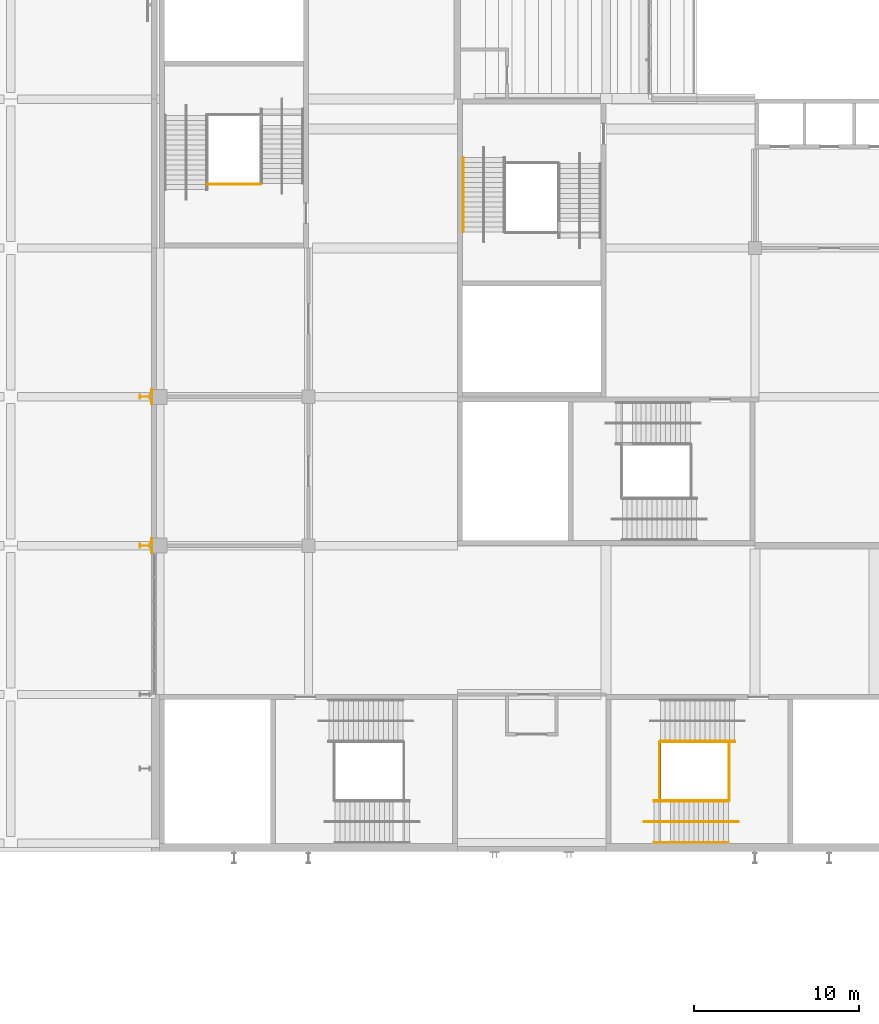
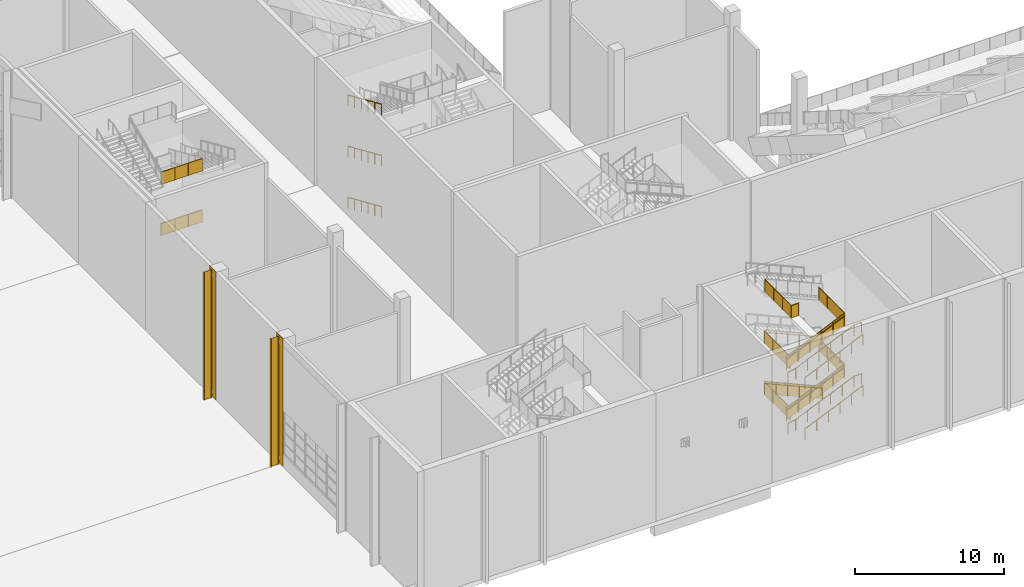
# One storey, part 139 of 182: 21 railings, 2 coverings, 2 shading devices.
"""IFC4 building model written with IfcOpenShell, lengths in metres."""

import ifcopenshell
import ifcopenshell.guid

model = None  # the IFC model being written
_history = None  # IfcOwnerHistory: only IFC2X3 demands one
_inside = {}  # id of a spatial element -> (the spatial element, [elements in it])
_under = {}  # id of a project, library or spatial element -> (it, [spatial elements below it])
_declared = {}  # id of a project -> (the project, [libraries it declares])
_typed = {}  # id of a type object -> (the type object, [elements of that type])
_made_of = {}  # id of a material, layer set ... -> (it, [elements and type objects made of it])


def new_model(schema):
    """Start an empty IFC model of exactly this schema.

    Asked for "IFC4X3", IfcOpenShell would pick the latest addendum, in which some entities
    have other attributes; the version numbers below select the first issue.
    IFC2X3 requires an IfcOwnerHistory on every rooted entity: one is made here for all.
    """
    global model, _history
    if schema == "IFC4X3":
        model = ifcopenshell.file(schema_version=(4, 3, 0, 0))
    else:
        model = ifcopenshell.file(schema=schema)
    _inside.clear()
    _under.clear()
    _declared.clear()
    _typed.clear()
    _made_of.clear()
    _history = None
    if model.schema == "IFC2X3":
        org = make("IfcOrganization", Name="unknown")
        user = make(
            "IfcPersonAndOrganization",
            ThePerson=make("IfcPerson", FamilyName="unknown"),
            TheOrganization=org,
        )
        app = make(
            "IfcApplication",
            ApplicationDeveloper=org,
            Version="unknown",
            ApplicationFullName="unknown",
            ApplicationIdentifier="unknown",
        )
        _history = make(
            "IfcOwnerHistory",
            OwningUser=user,
            OwningApplication=app,
            ChangeAction="ADDED",
            CreationDate=0,
        )
    return model


def make(cls, **values):
    """One entity of the class cls with the attributes given. An attribute that is None is left unset."""
    return model.create_entity(
        cls, **{name: value for name, value in values.items() if value is not None}
    )


def rooted(cls, **values):
    """An entity with a GlobalId (a new one), such as an element, a storey or a relation."""
    return make(cls, GlobalId=ifcopenshell.guid.new(), OwnerHistory=_history, **values)


def si_unit(unit_type, name, prefix=None):
    """IfcSIUnit, for example si_unit("LENGTHUNIT", "METRE", prefix="MILLI")."""
    return make("IfcSIUnit", UnitType=unit_type, Prefix=prefix, Name=name)


def assignment(units):
    """IfcUnitAssignment: the units of a project."""
    return None if units is None else make("IfcUnitAssignment", Units=units)


def point(xyz):
    """IfcCartesianPoint."""
    return None if xyz is None else make("IfcCartesianPoint", Coordinates=xyz)


def direction(xyz):
    """IfcDirection."""
    return None if xyz is None else make("IfcDirection", DirectionRatios=xyz)


def frame(location, z_axis=None, x_axis=None):
    """IfcAxis2Placement3D, a coordinate frame: its origin and axes. An axis left out is left unset."""
    return make(
        "IfcAxis2Placement3D",
        Location=point(location),
        Axis=direction(z_axis),
        RefDirection=direction(x_axis),
    )


def frame_2d(location, x_axis=None):
    """IfcAxis2Placement2D, a coordinate frame in the plane: its origin and x axis."""
    return make(
        "IfcAxis2Placement2D", Location=point(location), RefDirection=direction(x_axis)
    )


def origin():
    """The frame at (0, 0, 0) with its axes left unset."""
    return frame((0.0, 0.0, 0.0))


def origin_2d():
    """The frame at (0, 0) in the plane with its x axis left unset."""
    return frame_2d((0.0, 0.0))


def place(relative_to, where):
    """IfcLocalPlacement: puts the frame where relative to a parent placement (None: the world)."""
    return make(
        "IfcLocalPlacement", PlacementRelTo=relative_to, RelativePlacement=where
    )


def context(
    kind, dimensions, precision=None, world=None, true_north=None, identifier=None
):
    """IfcGeometricRepresentationContext, for example the 3D "Model" context."""
    return make(
        "IfcGeometricRepresentationContext",
        ContextIdentifier=identifier,
        ContextType=kind,
        CoordinateSpaceDimension=dimensions,
        Precision=precision,
        WorldCoordinateSystem=world,
        TrueNorth=true_north,
    )


def subcontext(parent, identifier, kind, view, scale=None):
    """IfcGeometricRepresentationSubContext, for example "Body" below "Model"."""
    return make(
        "IfcGeometricRepresentationSubContext",
        ContextIdentifier=identifier,
        ContextType=kind,
        ParentContext=parent,
        TargetScale=scale,
        TargetView=view,
    )


def project(units=None, contexts=None):
    """IfcProject with its units and contexts."""
    return rooted(
        "IfcProject",
        Name="project",
        RepresentationContexts=contexts,
        UnitsInContext=assignment(units),
    )


def spatial(cls, under=None, at=None, **own):
    """A site, building, storey or space (cls), placed at a placement, below another one or the project."""
    s = rooted(cls, ObjectPlacement=at, **own)
    if under is not None:
        _under.setdefault(under.id(), (under, []))[1].append(s)
    return s


def polyline(points):
    """IfcPolyline through the points."""
    return make("IfcPolyline", Points=[point(p) for p in points])


def profile(cls, at=None, kind="AREA", **sizes):
    """A parametric profile (cls). Its sizes go by their IFC names, for example OverallWidth=200.0."""
    return make(cls, ProfileType=kind, Position=at, **sizes)


def circle(**sizes):
    """IfcCircleProfileDef."""
    return profile("IfcCircleProfileDef", **sizes)


def i_section(**sizes):
    """IfcIShapeProfileDef."""
    return profile("IfcIShapeProfileDef", **sizes)


def outline(outer, holes=None, kind="AREA"):
    """IfcArbitraryClosedProfileDef: a profile drawn as a closed curve; with holes, ...WithVoids."""
    if holes is None:
        return make("IfcArbitraryClosedProfileDef", ProfileType=kind, OuterCurve=outer)
    return make(
        "IfcArbitraryProfileDefWithVoids",
        ProfileType=kind,
        OuterCurve=outer,
        InnerCurves=holes,
    )


def extrude(swept, where, along, depth):
    """IfcExtrudedAreaSolid: the profile swept, set in the frame where, extruded along a direction by depth."""
    return make(
        "IfcExtrudedAreaSolid",
        SweptArea=swept,
        Position=where,
        ExtrudedDirection=direction(along),
        Depth=depth,
    )


def shape(context_of_items, identifier, shape_type, items):
    """IfcShapeRepresentation: the items that make up one representation, for example the "Body"."""
    return make(
        "IfcShapeRepresentation",
        ContextOfItems=context_of_items,
        RepresentationIdentifier=identifier,
        RepresentationType=shape_type,
        Items=items,
    )


def material(Name=None, Category=None):
    """IfcMaterial."""
    return make("IfcMaterial", Name=Name, Category=Category)


def layer(
    of_material, thickness, ventilated=None, Name=None, Category=None, Priority=None
):
    """IfcMaterialLayer: one layer of a wall or slab, of a material (None: an air gap)."""
    return make(
        "IfcMaterialLayer",
        Material=of_material,
        LayerThickness=thickness,
        IsVentilated=ventilated,
        Name=Name,
        Category=Category,
        Priority=Priority,
    )


def layer_set(layers, Name=None):
    """IfcMaterialLayerSet."""
    return make("IfcMaterialLayerSet", MaterialLayers=layers, LayerSetName=Name)


def material_profile(
    of_material, cross_section, Name=None, Category=None, Priority=None
):
    """IfcMaterialProfile: a cross section and its material."""
    return make(
        "IfcMaterialProfile",
        Name=Name,
        Material=of_material,
        Profile=cross_section,
        Priority=Priority,
        Category=Category,
    )


def profile_set(profiles, Name=None, composite=None):
    """IfcMaterialProfileSet."""
    return make(
        "IfcMaterialProfileSet",
        Name=Name,
        MaterialProfiles=profiles,
        CompositeProfile=composite,
    )


def made_of(thing, what):
    """Note that an element or type object is made of a material, layer set ...; save() writes the relation."""
    if what is not None:
        _made_of.setdefault(what.id(), (what, []))[1].append(thing)
    return thing


def type_object(cls, material=None, **own):
    """A type object (cls), such as IfcWallType, which elements share."""
    return made_of(rooted(cls, **own), material)


def element(
    cls,
    number,
    at=None,
    inside=None,
    cuts=None,
    type_object=None,
    material=None,
    context=None,
    identifier="Body",
    shape_type=None,
    held_by="IfcProductDefinitionShape",
    body=None,
    shapes=None,
    **own,
):
    """One element of the class cls, such as IfcWall. Its Tag is "e" and its number.

    at: its placement. inside: the storey or other place that contains it. cuts: it is an
    opening in that element (IfcRelVoidsElement). A single representation is given by context,
    identifier, shape_type and body (its items); several are given by shapes. held_by: the class
    of the entity that holds the representations. save() writes the other relations.
    """
    e = rooted(cls, Tag="e%d" % number, ObjectPlacement=at, **own)
    if body is not None:
        shapes = [shape(context, identifier, shape_type, body)]
    if shapes is not None:
        e.Representation = make(held_by, Representations=shapes)
    if inside is not None:
        _inside.setdefault(inside.id(), (inside, []))[1].append(e)
    if cuts is not None:
        rooted(
            "IfcRelVoidsElement", RelatingBuildingElement=cuts, RelatedOpeningElement=e
        )
    if type_object is not None:
        _typed.setdefault(type_object.id(), (type_object, []))[1].append(e)
    return made_of(e, material)


def aggregate(whole, parts):
    """IfcRelAggregates: a whole, such as a stair, and the parts it consists of."""
    return rooted("IfcRelAggregates", RelatingObject=whole, RelatedObjects=parts)


def save(model, path):
    """Write the relations noted so far, then the file.

    IfcRelAggregates (storeys below a building ...), IfcRelContainedInSpatialStructure (elements
    in a storey), IfcRelDefinesByType, IfcRelAssociatesMaterial and IfcRelDeclares: one each for
    every whole, place, type object, material and project.
    """
    for whole, parts in _under.values():
        aggregate(whole, parts)
    for where, things in _inside.values():
        rooted(
            "IfcRelContainedInSpatialStructure",
            RelatedElements=things,
            RelatingStructure=where,
        )
    for kind, things in _typed.values():
        rooted("IfcRelDefinesByType", RelatedObjects=things, RelatingType=kind)
    for what, things in _made_of.values():
        rooted("IfcRelAssociatesMaterial", RelatedObjects=things, RelatingMaterial=what)
    for by, libraries in _declared.values():
        rooted("IfcRelDeclares", RelatingContext=by, RelatedDefinitions=libraries)
    model.write(path)


model = new_model("IFC4")

# Units and contexts
model_context = context("Model", 3, precision=1e-05, world=origin(), true_north=direction((0.0, 1.0)))
body_context = subcontext(model_context, "Body", "Model", "MODEL_VIEW")
ifc_project = project(units=[si_unit("LENGTHUNIT", "METRE"), si_unit("AREAUNIT", "SQUARE_METRE"), si_unit("VOLUMEUNIT", "CUBIC_METRE"), si_unit("PLANEANGLEUNIT", "RADIAN"), si_unit("MASSUNIT", "GRAM", prefix="KILO")], contexts=[model_context])

# Site, building, storey
site_placement = place(None, origin())
site = spatial("IfcSite", under=ifc_project, at=site_placement, CompositionType="ELEMENT")
building_placement = place(site_placement, origin())
building = spatial("IfcBuilding", under=site, at=building_placement, Name="Silverbay Arena", CompositionType="ELEMENT")
storey_placement = place(building_placement, frame((0.0, 0.0, 11.5)))
storey = spatial("IfcBuildingStorey", under=building, at=storey_placement, Name="L02", CompositionType="ELEMENT", Elevation=11.5)

# Coverings
ifc_material_1 = material(Name="Aluminium composite cladding", Category="aluminium")
ifc_layer = layer(ifc_material_1, 0.050048828125)
ifc_layer_set = layer_set([ifc_layer], Name="Aluminium composite cladding")
covering_type = type_object("IfcCoveringType", Name="Column cladding 50", PredefinedType="CLADDING", material=ifc_layer_set)
covering_1_placement = place(storey_placement, origin())
element("IfcCovering", 1, at=covering_1_placement, inside=storey, type_object=covering_type, Name="West column cladding L02 5", PredefinedType="CLADDING", context=body_context, shape_type="SweptSolid", body=[
    extrude(outline(polyline([(53.5, 35.550048828125), (53.550048828125, 35.550048828125), (53.550048828125, 36.449951171875), (53.5, 36.449951171875), (53.5, 35.550048828125)])), origin(), (0.0, 0.0, 1.0), 10.5),
])
covering_2_placement = place(storey_placement, origin())
element("IfcCovering", 2, at=covering_2_placement, inside=storey, type_object=covering_type, Name="West column cladding L02 7", PredefinedType="CLADDING", context=body_context, shape_type="SweptSolid", body=[
    extrude(outline(polyline([(53.5, 44.550048828125), (53.550048828125, 44.550048828125), (53.550048828125, 45.449951171875), (53.5, 45.449951171875), (53.5, 44.550048828125)])), origin(), (0.0, 0.0, 1.0), 10.5),
])

# Railings
ifc_material_2 = material(Name="Stainless steel", Category="steel")
railing_type_1 = type_object("IfcRailingType", Name="Stair guard 1100", PredefinedType="GUARDRAIL", material=ifc_material_2)
railing_1_placement = place(storey_placement, frame((88.774169921875, 24.125, 0.13134765625)))
element("IfcRailing", 3, at=railing_1_placement, inside=storey, type_object=railing_type_1, Name="Stair ST-S1 L02 to L03 flight 1 guard right", PredefinedType="GUARDRAIL", context=body_context, shape_type="SweptSolid", body=[
    extrude(circle(Radius=0.02392578125, at=origin_2d()), frame((0.0, 0.0, 1.076171875), z_axis=(-0.916157334902, 0.0, 0.40081883402), x_axis=(0.0, -1.0, 0.0)), (0.0, 0.0, 1.0), 4.911865234375),
    extrude(outline(polyline([(-0.008056640625, 0.04638671875), (0.907958984375, 0.447265625), (0.907958984375, 1.4501953125), (-0.008056640625, 1.049560546875), (-0.008056640625, 0.04638671875)])), frame((0.0, -0.0029296875, 0.0), z_axis=(0.0, 1.0, 0.0), x_axis=(-1.0, 0.0, 0.0)), (0.0, 0.0, 1.0), 0.006103515625),
    extrude(outline(polyline([(-0.008056640625, 0.440185546875), (0.907958984375, 0.841064453125), (0.907958984375, 1.843994140625), (-0.008056640625, 1.443359375), (-0.008056640625, 0.440185546875)])), frame((-0.89990234375, -0.0029296875, 0.0), z_axis=(0.0, 1.0, 0.0), x_axis=(-1.0, 0.0, 0.0)), (0.0, 0.0, 1.0), 0.006103515625),
    extrude(outline(polyline([(-0.008056640625, 0.833984375), (0.907958984375, 1.23486328125), (0.907958984375, 2.23779296875), (-0.008056640625, 1.8369140625), (-0.008056640625, 0.833984375)])), frame((-1.800048828125, -0.0029296875, 0.0), z_axis=(0.0, 1.0, 0.0), x_axis=(-1.0, 0.0, 0.0)), (0.0, 0.0, 1.0), 0.006103515625),
    extrude(outline(polyline([(-0.008056640625, 1.227783203125), (0.907958984375, 1.62841796875), (0.907958984375, 2.631591796875), (-0.008056640625, 2.230712890625), (-0.008056640625, 1.227783203125)])), frame((-2.699951171875, -0.0029296875, 0.0), z_axis=(0.0, 1.0, 0.0), x_axis=(-1.0, 0.0, 0.0)), (0.0, 0.0, 1.0), 0.006103515625),
    extrude(outline(polyline([(-0.008056640625, 1.62158203125), (0.907958984375, 2.022216796875), (0.907958984375, 3.025146484375), (-0.008056640625, 2.62451171875), (-0.008056640625, 1.62158203125)])), frame((-3.60009765625, -0.0029296875, 0.0), z_axis=(0.0, 1.0, 0.0), x_axis=(-1.0, 0.0, 0.0)), (0.0, 0.0, 1.0), 0.006103515625),
    extrude(circle(Radius=0.02099609375, at=origin_2d()), origin(), (0.0, 0.0, 1.0), 1.052001953125),
    extrude(circle(Radius=0.02099609375, at=origin_2d()), frame((-0.89990234375, 0.0, 0.393798828125)), (0.0, 0.0, 1.0), 1.052001953125),
    extrude(circle(Radius=0.02099609375, at=origin_2d()), frame((-1.800048828125, 0.0, 0.78759765625)), (0.0, 0.0, 1.0), 1.052001953125),
    extrude(circle(Radius=0.02099609375, at=origin_2d()), frame((-2.699951171875, 0.0, 1.18115234375)), (0.0, 0.0, 1.0), 1.052001953125),
    extrude(circle(Radius=0.02099609375, at=origin_2d()), frame((-3.60009765625, 0.0, 1.574951171875)), (0.0, 0.0, 1.0), 1.052001953125),
    extrude(circle(Radius=0.02099609375, at=origin_2d()), frame((-4.5, 0.0, 1.96875)), (0.0, 0.0, 1.0), 1.052001953125),
])
railing_2_placement = place(storey_placement, frame((83.89990234375, 20.574951171875, 2.231201171875)))
element("IfcRailing", 4, at=railing_2_placement, inside=storey, type_object=railing_type_1, Name="Stair ST-S1 L02 to L03 flight 2 guard left", PredefinedType="GUARDRAIL", context=body_context, shape_type="SweptSolid", body=[
    extrude(circle(Radius=0.02392578125, at=origin_2d()), frame((0.0, 0.0, 1.076171875), z_axis=(0.916157334902, 0.0, 0.40081883402), x_axis=(0.0, 1.0, 0.0)), (0.0, 0.0, 1.0), 4.911865234375),
    extrude(outline(polyline([(-0.008056640625, 0.04638671875), (0.907958984375, 0.447265625), (0.907958984375, 1.4501953125), (-0.008056640625, 1.049560546875), (-0.008056640625, 0.04638671875)])), frame((0.0, 0.0029296875, 0.0), z_axis=(0.0, -1.0, 0.0), x_axis=(1.0, 0.0, 0.0)), (0.0, 0.0, 1.0), 0.006103515625),
    extrude(outline(polyline([(-0.008056640625, 0.440185546875), (0.907958984375, 0.841064453125), (0.907958984375, 1.843994140625), (-0.008056640625, 1.443359375), (-0.008056640625, 0.440185546875)])), frame((0.89990234375, 0.0029296875, 0.0), z_axis=(0.0, -1.0, 0.0), x_axis=(1.0, 0.0, 0.0)), (0.0, 0.0, 1.0), 0.006103515625),
    extrude(outline(polyline([(-0.008056640625, 0.833984375), (0.907958984375, 1.23486328125), (0.907958984375, 2.23779296875), (-0.008056640625, 1.8369140625), (-0.008056640625, 0.833984375)])), frame((1.800048828125, 0.0029296875, 0.0), z_axis=(0.0, -1.0, 0.0), x_axis=(1.0, 0.0, 0.0)), (0.0, 0.0, 1.0), 0.006103515625),
    extrude(outline(polyline([(-0.008056640625, 1.227783203125), (0.907958984375, 1.62841796875), (0.907958984375, 2.631591796875), (-0.008056640625, 2.230712890625), (-0.008056640625, 1.227783203125)])), frame((2.699951171875, 0.0029296875, 0.0), z_axis=(0.0, -1.0, 0.0), x_axis=(1.0, 0.0, 0.0)), (0.0, 0.0, 1.0), 0.006103515625),
    extrude(outline(polyline([(-0.008056640625, 1.62158203125), (0.907958984375, 2.022216796875), (0.907958984375, 3.025146484375), (-0.008056640625, 2.62451171875), (-0.008056640625, 1.62158203125)])), frame((3.60009765625, 0.0029296875, 0.0), z_axis=(0.0, -1.0, 0.0), x_axis=(1.0, 0.0, 0.0)), (0.0, 0.0, 1.0), 0.006103515625),
    extrude(circle(Radius=0.02099609375, at=origin_2d()), origin(), (0.0, 0.0, 1.0), 1.052001953125),
    extrude(circle(Radius=0.02099609375, at=origin_2d()), frame((0.89990234375, 0.0, 0.393798828125)), (0.0, 0.0, 1.0), 1.052001953125),
    extrude(circle(Radius=0.02099609375, at=origin_2d()), frame((1.800048828125, 0.0, 0.78759765625)), (0.0, 0.0, 1.0), 1.052001953125),
    extrude(circle(Radius=0.02099609375, at=origin_2d()), frame((2.699951171875, 0.0, 1.18115234375)), (0.0, 0.0, 1.0), 1.052001953125),
    extrude(circle(Radius=0.02099609375, at=origin_2d()), frame((3.60009765625, 0.0, 1.574951171875)), (0.0, 0.0, 1.0), 1.052001953125),
    extrude(circle(Radius=0.02099609375, at=origin_2d()), frame((4.5, 0.0, 1.96875)), (0.0, 0.0, 1.0), 1.052001953125),
])
railing_3_placement = place(storey_placement, frame((83.89990234375, 20.574951171875, 6.43115234375)))
element("IfcRailing", 5, at=railing_3_placement, inside=storey, type_object=railing_type_1, Name="Stair ST-S1 L02 to L03 flight 4 guard left", PredefinedType="GUARDRAIL", context=body_context, shape_type="SweptSolid", body=[
    extrude(circle(Radius=0.02392578125, at=origin_2d()), frame((0.0, 0.0, 1.076171875), z_axis=(0.916157334902, 0.0, 0.40081883402), x_axis=(0.0, 1.0, 0.0)), (0.0, 0.0, 1.0), 4.911865234375),
    extrude(outline(polyline([(-0.008056640625, 0.04638671875), (0.907958984375, 0.447265625), (0.907958984375, 1.4501953125), (-0.008056640625, 1.049560546875), (-0.008056640625, 0.04638671875)])), frame((0.0, 0.0029296875, 0.0), z_axis=(0.0, -1.0, 0.0), x_axis=(1.0, 0.0, 0.0)), (0.0, 0.0, 1.0), 0.006103515625),
    extrude(outline(polyline([(-0.008056640625, 0.440185546875), (0.907958984375, 0.841064453125), (0.907958984375, 1.843994140625), (-0.008056640625, 1.443359375), (-0.008056640625, 0.440185546875)])), frame((0.89990234375, 0.0029296875, 0.0), z_axis=(0.0, -1.0, 0.0), x_axis=(1.0, 0.0, 0.0)), (0.0, 0.0, 1.0), 0.006103515625),
    extrude(outline(polyline([(-0.008056640625, 0.833984375), (0.907958984375, 1.23486328125), (0.907958984375, 2.23779296875), (-0.008056640625, 1.8369140625), (-0.008056640625, 0.833984375)])), frame((1.800048828125, 0.0029296875, 0.0), z_axis=(0.0, -1.0, 0.0), x_axis=(1.0, 0.0, 0.0)), (0.0, 0.0, 1.0), 0.006103515625),
    extrude(outline(polyline([(-0.008056640625, 1.227783203125), (0.907958984375, 1.62841796875), (0.907958984375, 2.631591796875), (-0.008056640625, 2.230712890625), (-0.008056640625, 1.227783203125)])), frame((2.699951171875, 0.0029296875, 0.0), z_axis=(0.0, -1.0, 0.0), x_axis=(1.0, 0.0, 0.0)), (0.0, 0.0, 1.0), 0.006103515625),
    extrude(outline(polyline([(-0.008056640625, 1.62158203125), (0.907958984375, 2.022216796875), (0.907958984375, 3.025146484375), (-0.008056640625, 2.62451171875), (-0.008056640625, 1.62158203125)])), frame((3.60009765625, 0.0029296875, 0.0), z_axis=(0.0, -1.0, 0.0), x_axis=(1.0, 0.0, 0.0)), (0.0, 0.0, 1.0), 0.006103515625),
    extrude(circle(Radius=0.02099609375, at=origin_2d()), origin(), (0.0, 0.0, 1.0), 1.052001953125),
    extrude(circle(Radius=0.02099609375, at=origin_2d()), frame((0.89990234375, 0.0, 0.393798828125)), (0.0, 0.0, 1.0), 1.052001953125),
    extrude(circle(Radius=0.02099609375, at=origin_2d()), frame((1.800048828125, 0.0, 0.78759765625)), (0.0, 0.0, 1.0), 1.052001953125),
    extrude(circle(Radius=0.02099609375, at=origin_2d()), frame((2.699951171875, 0.0, 1.18115234375)), (0.0, 0.0, 1.0), 1.052001953125),
    extrude(circle(Radius=0.02099609375, at=origin_2d()), frame((3.60009765625, 0.0, 1.574951171875)), (0.0, 0.0, 1.0), 1.052001953125),
    extrude(circle(Radius=0.02099609375, at=origin_2d()), frame((4.5, 0.0, 1.96875)), (0.0, 0.0, 1.0), 1.052001953125),
])
for number, where, name in (
    (6, (84.22412109375, 24.10009765625, 2.10009765625), "Stair ST-S1 L02 to L03 landing 1 guard"),
    (7, (88.449951171875, 24.10009765625, 4.199951171875), "Stair ST-S1 L02 to L03 landing 2 guard"),
    (8, (84.22412109375, 24.10009765625, 6.300048828125), "Stair ST-S1 L02 to L03 landing 3 guard"),
    (9, (88.449951171875, 24.10009765625, 8.39990234375), "Stair ST-S1 L02 to L03 landing 4 guard"),
):
    element("IfcRailing", number, at=place(storey_placement, frame(where)), inside=storey, type_object=railing_type_1, Name=name, PredefinedType="GUARDRAIL", context=body_context, shape_type="SweptSolid", body=[
        extrude(circle(Radius=0.02392578125, at=origin_2d()), frame((0.0, 0.0, 1.076171875), z_axis=(0.0, -1.0, 0.0), x_axis=(1.0, 0.0, 0.0)), (0.0, 0.0, 1.0), 3.5),
        extrude(outline(polyline([(-0.008056640625, 0.050048828125), (1.174560546875, 0.050048828125), (1.174560546875, 1.052978515625), (-0.008056640625, 1.052978515625), (-0.008056640625, 0.050048828125)])), frame((0.0029296875, 0.0, 0.0), z_axis=(-1.0, 0.0, 0.0), x_axis=(0.0, -1.0, 0.0)), (0.0, 0.0, 1.0), 0.006103515625),
        extrude(outline(polyline([(-0.008056640625, 0.050048828125), (1.174560546875, 0.050048828125), (1.174560546875, 1.052978515625), (-0.008056640625, 1.052978515625), (-0.008056640625, 0.050048828125)])), frame((0.0029296875, -1.166748046875, 0.0), z_axis=(-1.0, 0.0, 0.0), x_axis=(0.0, -1.0, 0.0)), (0.0, 0.0, 1.0), 0.006103515625),
        extrude(outline(polyline([(-0.008056640625, 0.050048828125), (1.174560546875, 0.050048828125), (1.174560546875, 1.052978515625), (-0.008056640625, 1.052978515625), (-0.008056640625, 0.050048828125)])), frame((0.0029296875, -2.333251953125, 0.0), z_axis=(-1.0, 0.0, 0.0), x_axis=(0.0, -1.0, 0.0)), (0.0, 0.0, 1.0), 0.006103515625),
        extrude(circle(Radius=0.02099609375, at=origin_2d()), origin(), (0.0, 0.0, 1.0), 1.052001953125),
        extrude(circle(Radius=0.02099609375, at=origin_2d()), frame((0.0, -1.166748046875, 0.0)), (0.0, 0.0, 1.0), 1.052001953125),
        extrude(circle(Radius=0.02099609375, at=origin_2d()), frame((0.0, -2.333251953125, 0.0)), (0.0, 0.0, 1.0), 1.052001953125),
        extrude(circle(Radius=0.02099609375, at=origin_2d()), frame((0.0, -3.5, 0.0)), (0.0, 0.0, 1.0), 1.052001953125),
    ])
railing_4_placement = place(storey_placement, frame((84.85009765625, 20.550048828125, 10.5)))
element("IfcRailing", 10, at=railing_4_placement, inside=storey, type_object=railing_type_1, Name="Stair ST-S1 L02 to L03 landing 5 guard", PredefinedType="GUARDRAIL", context=body_context, shape_type="SweptSolid", body=[
    extrude(circle(Radius=0.02392578125, at=origin_2d()), frame((0.0, 0.0, 1.076171875), z_axis=(-1.0, 0.0, 0.0), x_axis=(0.0, -1.0, 0.0)), (0.0, 0.0, 1.0), 0.575927734375),
    extrude(outline(polyline([(-0.008056640625, 0.050048828125), (0.583984375, 0.050048828125), (0.583984375, 1.052978515625), (-0.008056640625, 1.052978515625), (-0.008056640625, 0.050048828125)])), frame((0.0, -0.0029296875, 0.0), z_axis=(0.0, 1.0, 0.0), x_axis=(-1.0, 0.0, 0.0)), (0.0, 0.0, 1.0), 0.006103515625),
    extrude(circle(Radius=0.02392578125, at=origin_2d()), frame((-0.575927734375, 0.0, 1.076171875), z_axis=(0.0, 1.0, 0.0), x_axis=(-1.0, 0.0, 0.0)), (0.0, 0.0, 1.0), 3.550048828125),
    extrude(outline(polyline([(-0.008056640625, 0.050048828125), (1.19140625, 0.050048828125), (1.19140625, 1.052978515625), (-0.008056640625, 1.052978515625), (-0.008056640625, 0.050048828125)])), frame((-0.578857421875, 0.0, 0.0), z_axis=(1.0, 0.0, 0.0), x_axis=(0.0, 1.0, 0.0)), (0.0, 0.0, 1.0), 0.006103515625),
    extrude(outline(polyline([(-0.008056640625, 0.050048828125), (1.19140625, 0.050048828125), (1.19140625, 1.052978515625), (-0.008056640625, 1.052978515625), (-0.008056640625, 0.050048828125)])), frame((-0.578857421875, 1.183349609375, 0.0), z_axis=(1.0, 0.0, 0.0), x_axis=(0.0, 1.0, 0.0)), (0.0, 0.0, 1.0), 0.006103515625),
    extrude(outline(polyline([(-0.008056640625, 0.050048828125), (1.19140625, 0.050048828125), (1.19140625, 1.052978515625), (-0.008056640625, 1.052978515625), (-0.008056640625, 0.050048828125)])), frame((-0.578857421875, 2.36669921875, 0.0), z_axis=(1.0, 0.0, 0.0), x_axis=(0.0, 1.0, 0.0)), (0.0, 0.0, 1.0), 0.006103515625),
    extrude(circle(Radius=0.02099609375, at=origin_2d()), origin(), (0.0, 0.0, 1.0), 1.052001953125),
    extrude(circle(Radius=0.02099609375, at=origin_2d()), frame((-0.575927734375, 0.0, 0.0)), (0.0, 0.0, 1.0), 1.052001953125),
    extrude(circle(Radius=0.02099609375, at=origin_2d()), frame((-0.575927734375, 1.183349609375, 0.0)), (0.0, 0.0, 1.0), 1.052001953125),
    extrude(circle(Radius=0.02099609375, at=origin_2d()), frame((-0.575927734375, 2.36669921875, 0.0)), (0.0, 0.0, 1.0), 1.052001953125),
    extrude(circle(Radius=0.02099609375, at=origin_2d()), frame((-0.575927734375, 3.550048828125, 0.0)), (0.0, 0.0, 1.0), 1.052001953125),
])
for number, where, name in (
    (11, (60.10009765625, 57.85009765625, 4.199951171875), "Stair ST-W1 L02 to L03 landing 2 guard"),
    (12, (60.10009765625, 57.85009765625, 8.39990234375), "Stair ST-W1 L02 to L03 landing 4 guard"),
):
    element("IfcRailing", number, at=place(storey_placement, frame(where)), inside=storey, type_object=railing_type_1, Name=name, PredefinedType="GUARDRAIL", context=body_context, shape_type="SweptSolid", body=[
        extrude(circle(Radius=0.02392578125, at=origin_2d()), frame((0.0, 0.0, 1.076171875), z_axis=(-1.0, 0.0, 0.0), x_axis=(0.0, -1.0, 0.0)), (0.0, 0.0, 1.0), 3.2001953125),
        extrude(outline(polyline([(-0.008056640625, 0.050048828125), (1.07470703125, 0.050048828125), (1.07470703125, 1.052978515625), (-0.008056640625, 1.052978515625), (-0.008056640625, 0.050048828125)])), frame((0.0, -0.0029296875, 0.0), z_axis=(0.0, 1.0, 0.0), x_axis=(-1.0, 0.0, 0.0)), (0.0, 0.0, 1.0), 0.006103515625),
        extrude(outline(polyline([(-0.008056640625, 0.050048828125), (1.07470703125, 0.050048828125), (1.07470703125, 1.052978515625), (-0.008056640625, 1.052978515625), (-0.008056640625, 0.050048828125)])), frame((-1.066650390625, -0.0029296875, 0.0), z_axis=(0.0, 1.0, 0.0), x_axis=(-1.0, 0.0, 0.0)), (0.0, 0.0, 1.0), 0.006103515625),
        extrude(outline(polyline([(-0.008056640625, 0.050048828125), (1.07470703125, 0.050048828125), (1.07470703125, 1.052978515625), (-0.008056640625, 1.052978515625), (-0.008056640625, 0.050048828125)])), frame((-2.133544921875, -0.0029296875, 0.0), z_axis=(0.0, 1.0, 0.0), x_axis=(-1.0, 0.0, 0.0)), (0.0, 0.0, 1.0), 0.006103515625),
        extrude(circle(Radius=0.02099609375, at=origin_2d()), origin(), (0.0, 0.0, 1.0), 1.052001953125),
        extrude(circle(Radius=0.02099609375, at=origin_2d()), frame((-1.066650390625, 0.0, 0.0)), (0.0, 0.0, 1.0), 1.052001953125),
        extrude(circle(Radius=0.02099609375, at=origin_2d()), frame((-2.133544921875, 0.0, 0.0)), (0.0, 0.0, 1.0), 1.052001953125),
        extrude(circle(Radius=0.02099609375, at=origin_2d()), frame((-3.2001953125, 0.0, 0.0)), (0.0, 0.0, 1.0), 1.052001953125),
    ])
ifc_material_3 = material(Name="Stainless steel", Category="steel")
railing_type_2 = type_object("IfcRailingType", Name="Stair handrail 900", PredefinedType="HANDRAIL", material=ifc_material_3)
railing_5_placement = place(storey_placement, frame((88.774169921875, 24.1640625, 0.13134765625)))
element("IfcRailing", 13, at=railing_5_placement, inside=storey, type_object=railing_type_2, Name="Stair ST-S1 L02 to L03 flight 1 handrail right", PredefinedType="HANDRAIL", context=body_context, shape_type="SweptSolid", body=[
    extrude(circle(Radius=0.02392578125, at=origin_2d()), frame((0.0, 0.0, 0.8759765625), z_axis=(-0.916157334902, 0.0, 0.40081883402), x_axis=(0.0, -1.0, 0.0)), (0.0, 0.0, 1.0), 4.911865234375),
    extrude(circle(Radius=0.02099609375, at=origin_2d()), origin(), (0.0, 0.0, 1.0), 0.851806640625),
    extrude(circle(Radius=0.02099609375, at=origin_2d()), frame((-0.89990234375, 0.0, 0.393798828125)), (0.0, 0.0, 1.0), 0.851806640625),
    extrude(circle(Radius=0.02099609375, at=origin_2d()), frame((-1.800048828125, 0.0, 0.78759765625)), (0.0, 0.0, 1.0), 0.851806640625),
    extrude(circle(Radius=0.02099609375, at=origin_2d()), frame((-2.699951171875, 0.0, 1.18115234375)), (0.0, 0.0, 1.0), 0.851806640625),
    extrude(circle(Radius=0.02099609375, at=origin_2d()), frame((-3.60009765625, 0.0, 1.574951171875)), (0.0, 0.0, 1.0), 0.851806640625),
    extrude(circle(Radius=0.02099609375, at=origin_2d()), frame((-4.5, 0.0, 1.96875)), (0.0, 0.0, 1.0), 0.851806640625),
])
for number, where, name in (
    (14, (83.89990234375, 20.535888671875, 2.231201171875), "Stair ST-S1 L02 to L03 flight 2 handrail left"),
    (15, (83.89990234375, 18.050048828125, 2.231201171875), "Stair ST-S1 L02 to L03 flight 2 handrail right"),
):
    element("IfcRailing", number, at=place(storey_placement, frame(where)), inside=storey, type_object=railing_type_2, Name=name, PredefinedType="HANDRAIL", context=body_context, shape_type="SweptSolid", body=[
        extrude(circle(Radius=0.02392578125, at=origin_2d()), frame((0.0, 0.0, 0.8759765625), z_axis=(0.916157334902, 0.0, 0.40081883402), x_axis=(0.0, 1.0, 0.0)), (0.0, 0.0, 1.0), 4.911865234375),
        extrude(circle(Radius=0.02099609375, at=origin_2d()), origin(), (0.0, 0.0, 1.0), 0.851806640625),
        extrude(circle(Radius=0.02099609375, at=origin_2d()), frame((0.89990234375, 0.0, 0.393798828125)), (0.0, 0.0, 1.0), 0.851806640625),
        extrude(circle(Radius=0.02099609375, at=origin_2d()), frame((1.800048828125, 0.0, 0.78759765625)), (0.0, 0.0, 1.0), 0.851806640625),
        extrude(circle(Radius=0.02099609375, at=origin_2d()), frame((2.699951171875, 0.0, 1.18115234375)), (0.0, 0.0, 1.0), 0.851806640625),
        extrude(circle(Radius=0.02099609375, at=origin_2d()), frame((3.60009765625, 0.0, 1.574951171875)), (0.0, 0.0, 1.0), 0.851806640625),
        extrude(circle(Radius=0.02099609375, at=origin_2d()), frame((4.5, 0.0, 1.96875)), (0.0, 0.0, 1.0), 0.851806640625),
    ])
railing_6_placement = place(storey_placement, frame((83.300048828125, 19.300048828125, 2.10009765625)))
element("IfcRailing", 16, at=railing_6_placement, inside=storey, type_object=railing_type_2, Name="Stair ST-S1 L02 to L03 flight 2 central handrail", PredefinedType="HANDRAIL", context=body_context, shape_type="SweptSolid", body=[
    extrude(circle(Radius=0.02392578125, at=origin_2d()), frame((0.0, 0.0, 0.8759765625), z_axis=(0.976938910361, 0.0, 0.213519004829), x_axis=(0.0, 1.0, 0.0)), (0.0, 0.0, 1.0), 0.614013671875),
    extrude(circle(Radius=0.02392578125, at=origin_2d()), frame((0.599853515625, 0.0, 1.0068359375), z_axis=(0.916157334902, 0.0, 0.40081883402), x_axis=(0.0, 1.0, 0.0)), (0.0, 0.0, 1.0), 4.911865234375),
    extrude(circle(Radius=0.02392578125, at=origin_2d()), frame((5.099853515625, 0.0, 2.9755859375), z_axis=(1.0, 0.0, 0.0), x_axis=(0.0, 1.0, 0.0)), (0.0, 0.0, 1.0), 0.60009765625),
    extrude(circle(Radius=0.02099609375, at=origin_2d()), origin(), (0.0, 0.0, 1.0), 0.851806640625),
    extrude(circle(Radius=0.02099609375, at=origin_2d()), frame((0.599853515625, 0.0, 0.131103515625)), (0.0, 0.0, 1.0), 0.851806640625),
    extrude(circle(Radius=0.02099609375, at=origin_2d()), frame((1.499755859375, 0.0, 0.52490234375)), (0.0, 0.0, 1.0), 0.851806640625),
    extrude(circle(Radius=0.02099609375, at=origin_2d()), frame((2.39990234375, 0.0, 0.918701171875)), (0.0, 0.0, 1.0), 0.851806640625),
    extrude(circle(Radius=0.02099609375, at=origin_2d()), frame((3.2998046875, 0.0, 1.312255859375)), (0.0, 0.0, 1.0), 0.851806640625),
    extrude(circle(Radius=0.02099609375, at=origin_2d()), frame((4.199951171875, 0.0, 1.7060546875)), (0.0, 0.0, 1.0), 0.851806640625),
    extrude(circle(Radius=0.02099609375, at=origin_2d()), frame((5.099853515625, 0.0, 2.099853515625)), (0.0, 0.0, 1.0), 0.851806640625),
    extrude(circle(Radius=0.02099609375, at=origin_2d()), frame((5.699951171875, 0.0, 2.099853515625)), (0.0, 0.0, 1.0), 0.851806640625),
])
railing_7_placement = place(storey_placement, frame((88.774169921875, 24.1640625, 4.331298828125)))
element("IfcRailing", 17, at=railing_7_placement, inside=storey, type_object=railing_type_2, Name="Stair ST-S1 L02 to L03 flight 3 handrail right", PredefinedType="HANDRAIL", context=body_context, shape_type="SweptSolid", body=[
    extrude(circle(Radius=0.02392578125, at=origin_2d()), frame((0.0, 0.0, 0.8759765625), z_axis=(-0.916157334902, 0.0, 0.40081883402), x_axis=(0.0, -1.0, 0.0)), (0.0, 0.0, 1.0), 4.911865234375),
    extrude(circle(Radius=0.02099609375, at=origin_2d()), origin(), (0.0, 0.0, 1.0), 0.851806640625),
    extrude(circle(Radius=0.02099609375, at=origin_2d()), frame((-0.89990234375, 0.0, 0.393798828125)), (0.0, 0.0, 1.0), 0.851806640625),
    extrude(circle(Radius=0.02099609375, at=origin_2d()), frame((-1.800048828125, 0.0, 0.78759765625)), (0.0, 0.0, 1.0), 0.851806640625),
    extrude(circle(Radius=0.02099609375, at=origin_2d()), frame((-2.699951171875, 0.0, 1.18115234375)), (0.0, 0.0, 1.0), 0.851806640625),
    extrude(circle(Radius=0.02099609375, at=origin_2d()), frame((-3.60009765625, 0.0, 1.574951171875)), (0.0, 0.0, 1.0), 0.851806640625),
    extrude(circle(Radius=0.02099609375, at=origin_2d()), frame((-4.5, 0.0, 1.96875)), (0.0, 0.0, 1.0), 0.851806640625),
])
for number, where, name in (
    (18, (83.89990234375, 20.535888671875, 6.43115234375), "Stair ST-S1 L02 to L03 flight 4 handrail left"),
    (19, (83.89990234375, 18.050048828125, 6.43115234375), "Stair ST-S1 L02 to L03 flight 4 handrail right"),
):
    element("IfcRailing", number, at=place(storey_placement, frame(where)), inside=storey, type_object=railing_type_2, Name=name, PredefinedType="HANDRAIL", context=body_context, shape_type="SweptSolid", body=[
        extrude(circle(Radius=0.02392578125, at=origin_2d()), frame((0.0, 0.0, 0.8759765625), z_axis=(0.916157334902, 0.0, 0.40081883402), x_axis=(0.0, 1.0, 0.0)), (0.0, 0.0, 1.0), 4.911865234375),
        extrude(circle(Radius=0.02099609375, at=origin_2d()), origin(), (0.0, 0.0, 1.0), 0.851806640625),
        extrude(circle(Radius=0.02099609375, at=origin_2d()), frame((0.89990234375, 0.0, 0.393798828125)), (0.0, 0.0, 1.0), 0.851806640625),
        extrude(circle(Radius=0.02099609375, at=origin_2d()), frame((1.800048828125, 0.0, 0.78759765625)), (0.0, 0.0, 1.0), 0.851806640625),
        extrude(circle(Radius=0.02099609375, at=origin_2d()), frame((2.699951171875, 0.0, 1.18115234375)), (0.0, 0.0, 1.0), 0.851806640625),
        extrude(circle(Radius=0.02099609375, at=origin_2d()), frame((3.60009765625, 0.0, 1.574951171875)), (0.0, 0.0, 1.0), 0.851806640625),
        extrude(circle(Radius=0.02099609375, at=origin_2d()), frame((4.5, 0.0, 1.96875)), (0.0, 0.0, 1.0), 0.851806640625),
    ])
railing_8_placement = place(storey_placement, frame((83.300048828125, 19.300048828125, 6.300048828125)))
element("IfcRailing", 20, at=railing_8_placement, inside=storey, type_object=railing_type_2, Name="Stair ST-S1 L02 to L03 flight 4 central handrail", PredefinedType="HANDRAIL", context=body_context, shape_type="SweptSolid", body=[
    extrude(circle(Radius=0.02392578125, at=origin_2d()), frame((0.0, 0.0, 0.8759765625), z_axis=(0.976938910361, 0.0, 0.213519004829), x_axis=(0.0, 1.0, 0.0)), (0.0, 0.0, 1.0), 0.614013671875),
    extrude(circle(Radius=0.02392578125, at=origin_2d()), frame((0.599853515625, 0.0, 1.0068359375), z_axis=(0.916157334902, 0.0, 0.40081883402), x_axis=(0.0, 1.0, 0.0)), (0.0, 0.0, 1.0), 4.911865234375),
    extrude(circle(Radius=0.02392578125, at=origin_2d()), frame((5.099853515625, 0.0, 2.9755859375), z_axis=(1.0, 0.0, 0.0), x_axis=(0.0, 1.0, 0.0)), (0.0, 0.0, 1.0), 0.60009765625),
    extrude(circle(Radius=0.02099609375, at=origin_2d()), origin(), (0.0, 0.0, 1.0), 0.851806640625),
    extrude(circle(Radius=0.02099609375, at=origin_2d()), frame((0.599853515625, 0.0, 0.131103515625)), (0.0, 0.0, 1.0), 0.851806640625),
    extrude(circle(Radius=0.02099609375, at=origin_2d()), frame((1.499755859375, 0.0, 0.52490234375)), (0.0, 0.0, 1.0), 0.851806640625),
    extrude(circle(Radius=0.02099609375, at=origin_2d()), frame((2.39990234375, 0.0, 0.918701171875)), (0.0, 0.0, 1.0), 0.851806640625),
    extrude(circle(Radius=0.02099609375, at=origin_2d()), frame((3.2998046875, 0.0, 1.312255859375)), (0.0, 0.0, 1.0), 0.851806640625),
    extrude(circle(Radius=0.02099609375, at=origin_2d()), frame((4.199951171875, 0.0, 1.7060546875)), (0.0, 0.0, 1.0), 0.851806640625),
    extrude(circle(Radius=0.02099609375, at=origin_2d()), frame((5.099853515625, 0.0, 2.099853515625)), (0.0, 0.0, 1.0), 0.851806640625),
    extrude(circle(Radius=0.02099609375, at=origin_2d()), frame((5.699951171875, 0.0, 2.099853515625)), (0.0, 0.0, 1.0), 0.851806640625),
])
for number, where, name in (
    (21, (72.35009765625, 59.47412109375, 0.13134765625), "Stair ST-SW2 L02 to L03 flight 1 handrail right"),
    (22, (72.35009765625, 59.47412109375, 4.331298828125), "Stair ST-SW2 L02 to L03 flight 3 handrail right"),
    (23, (72.35009765625, 59.47412109375, 8.53125), "Stair ST-SW2 L02 to L03 flight 5 handrail right"),
):
    element("IfcRailing", number, at=place(storey_placement, frame(where)), inside=storey, type_object=railing_type_2, Name=name, PredefinedType="HANDRAIL", context=body_context, shape_type="SweptSolid", body=[
        extrude(circle(Radius=0.02392578125, at=origin_2d()), frame((0.0, 0.0, 0.8759765625), z_axis=(0.0, -0.916157334902, 0.40081883402), x_axis=(1.0, 0.0, 0.0)), (0.0, 0.0, 1.0), 4.911865234375),
        extrude(circle(Radius=0.02099609375, at=origin_2d()), origin(), (0.0, 0.0, 1.0), 0.851806640625),
        extrude(circle(Radius=0.02099609375, at=origin_2d()), frame((0.0, -0.89990234375, 0.393798828125)), (0.0, 0.0, 1.0), 0.851806640625),
        extrude(circle(Radius=0.02099609375, at=origin_2d()), frame((0.0, -1.800048828125, 0.78759765625)), (0.0, 0.0, 1.0), 0.851806640625),
        extrude(circle(Radius=0.02099609375, at=origin_2d()), frame((0.0, -2.699951171875, 1.18115234375)), (0.0, 0.0, 1.0), 0.851806640625),
        extrude(circle(Radius=0.02099609375, at=origin_2d()), frame((0.0, -3.60009765625, 1.574951171875)), (0.0, 0.0, 1.0), 0.851806640625),
        extrude(circle(Radius=0.02099609375, at=origin_2d()), frame((0.0, -4.5, 1.96875)), (0.0, 0.0, 1.0), 0.851806640625),
    ])

# Shading devices
ifc_material_4 = material(Name="Steel S355", Category="steel")
ifc_material_profile = material_profile(ifc_material_4, i_section(OverallWidth=0.2275390625, OverallDepth=0.6025390625, WebThickness=0.010498046875, FlangeThickness=0.014892578125, at=origin_2d()), Name="UB 610x229x101")
ifc_profile_set = profile_set([ifc_material_profile], Name="Steel S355")
shading_device_type = type_object("IfcShadingDeviceType", Name="Steel fin UB 610x229x101", PredefinedType="USERDEFINED", material=ifc_profile_set)
for number, where, z_axis, x_axis, name in (
    (24, (53.0986328125, 36.0, 0.0), (0.0, 0.0, 1.0), (0.0, 1.0, 0.0), "Steel fin W L02 4"),
    (25, (53.0986328125, 45.0, 0.0), (0.0, 0.0, 1.0), (0.0, 1.0, 0.0), "Steel fin W L02 6"),
):
    element("IfcShadingDevice", number, at=place(storey_placement, frame(where, z_axis=z_axis, x_axis=x_axis)), inside=storey, type_object=shading_device_type, Name=name, ObjectType="FIN", PredefinedType="USERDEFINED", context=body_context, shape_type="SweptSolid", body=[
        extrude(i_section(OverallWidth=0.2275390625, OverallDepth=0.6025390625, WebThickness=0.010498046875, FlangeThickness=0.014892578125, at=origin_2d()), origin(), (0.0, 0.0, 1.0), 10.5),
    ])

save(model, "model.ifc")
